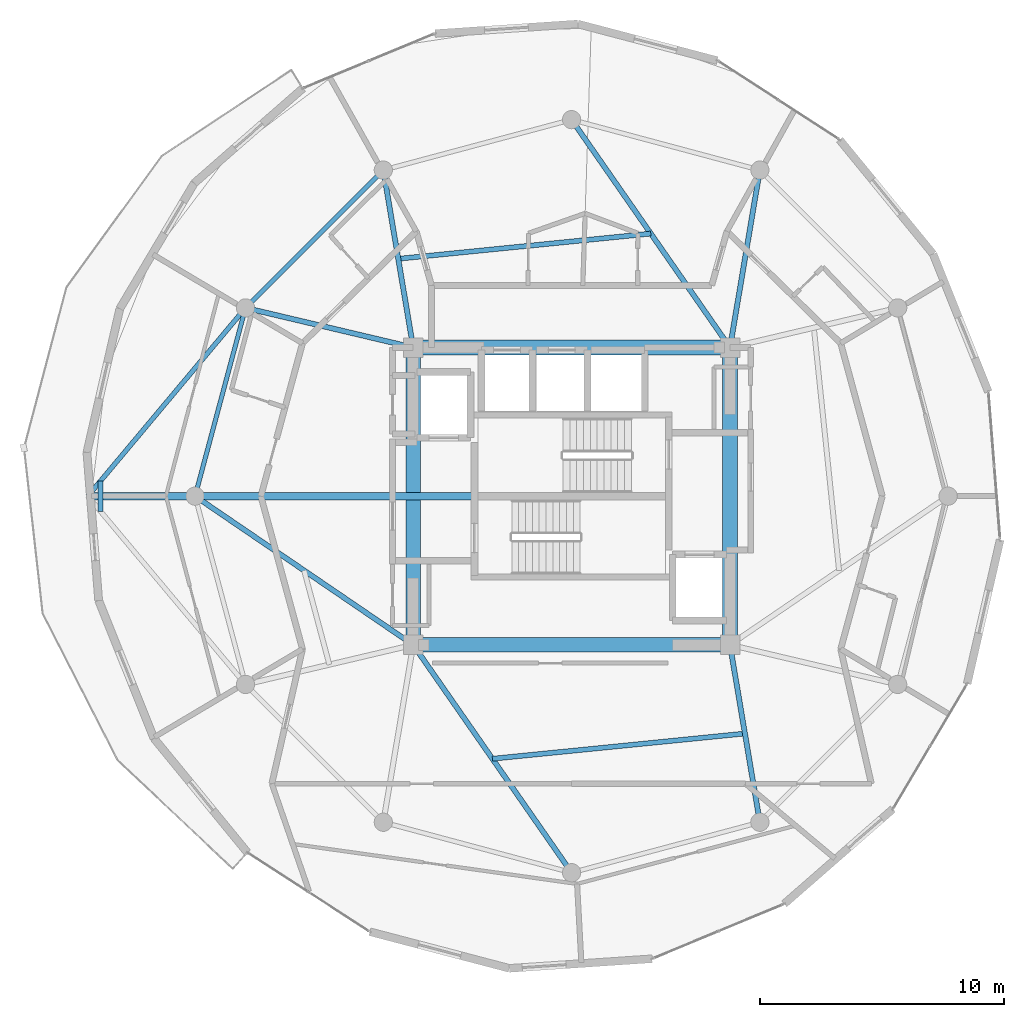
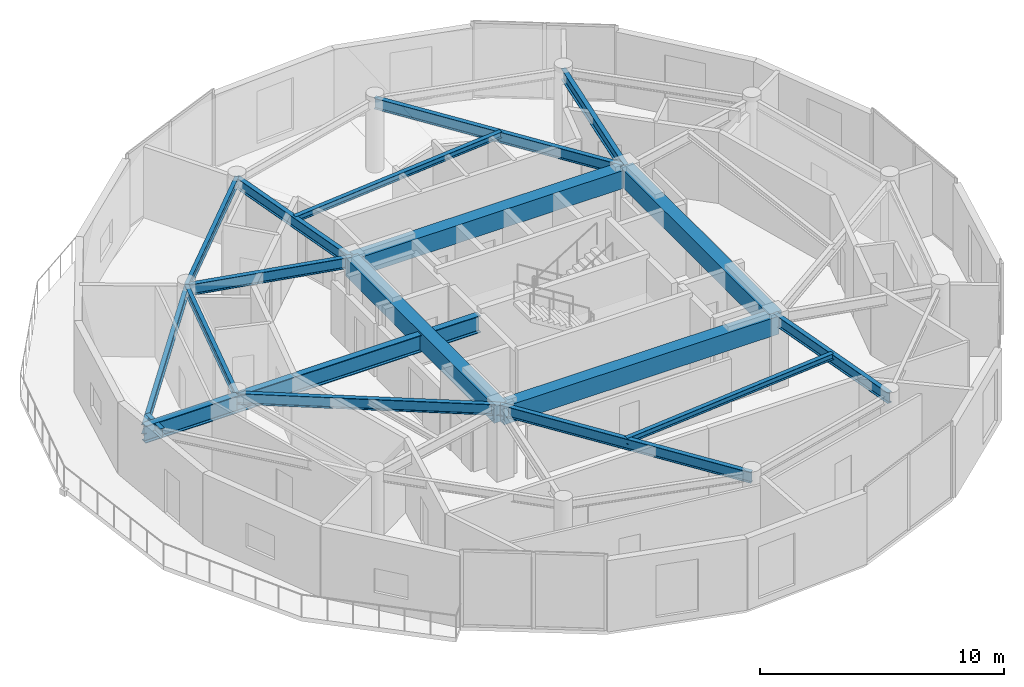
# One storey, part 5 of 17: 19 beams.
"""IFC4 building model written with IfcOpenShell, lengths in metres."""

from ifc_helpers import new_model, si_unit, direction, frame, origin, origin_2d, place, context, subcontext, project, spatial, rectangle, i_section, extrude, material, material_profile, profile_set, type_object, element, save


model = new_model("IFC4")

# Units and contexts
model_context = context("Model", 3, precision=1e-05, world=origin(), true_north=direction((0.0, 1.0)))
body_context = subcontext(model_context, "Body", "Model", "MODEL_VIEW")
ifc_project = project(units=[si_unit("LENGTHUNIT", "METRE"), si_unit("AREAUNIT", "SQUARE_METRE"), si_unit("VOLUMEUNIT", "CUBIC_METRE"), si_unit("PLANEANGLEUNIT", "RADIAN"), si_unit("MASSUNIT", "GRAM", prefix="KILO")], contexts=[model_context])

# Site, building, storey
site_placement = place(None, origin())
site = spatial("IfcSite", under=ifc_project, at=site_placement, CompositionType="ELEMENT")
building_placement = place(site_placement, origin())
building = spatial("IfcBuilding", under=site, at=building_placement, Name="Solvirekh Grand Hotel", CompositionType="ELEMENT")
storey_placement = place(building_placement, frame((0.0, 0.0, 246.800048828125)))
storey = spatial("IfcBuildingStorey", under=building, at=storey_placement, Name="L64", CompositionType="ELEMENT", Elevation=246.800048828125)

# Beams
ifc_material_1 = material(Name="Concrete C50/60", Category="concrete")
ifc_material_profile_1 = material_profile(ifc_material_1, rectangle(XDim=0.60009765625, YDim=0.89990234375, at=origin_2d()), Name="RC BEAM 600X900")
ifc_profile_set_1 = profile_set([ifc_material_profile_1], Name="Concrete C50/60")
beam_type_1 = type_object("IfcBeamType", Name="Beam_Core_RC900", PredefinedType="BEAM", material=ifc_profile_set_1)
beam_1_placement = place(storey_placement, frame((-6.5, -6.10009765625, 3.119873046875), z_axis=(1.0, 0.0, 0.0), x_axis=(0.0, 1.0, 0.0)))
element("IfcBeam", 1, at=beam_1_placement, inside=storey, type_object=beam_type_1, Name="L64 core coupling ring beam 1", PredefinedType="BEAM", context=body_context, shape_type="SweptSolid", body=[
    extrude(rectangle(XDim=0.60009765625, YDim=0.89990234375, at=origin_2d()), origin(), (0.0, 0.0, 1.0), 13.0),
])
beam_2_placement = place(storey_placement, frame((6.5, -6.10009765625, 3.119873046875), z_axis=(0.0, 1.0, 0.0), x_axis=(-1.0, 0.0, 0.0)))
element("IfcBeam", 2, at=beam_2_placement, inside=storey, type_object=beam_type_1, Name="L64 core coupling ring beam 2", PredefinedType="BEAM", context=body_context, shape_type="SweptSolid", body=[
    extrude(rectangle(XDim=0.60009765625, YDim=0.89990234375, at=origin_2d()), origin(), (0.0, 0.0, 1.0), 12.2001953125),
])
beam_3_placement = place(storey_placement, frame((6.5, 6.10009765625, 3.119873046875), z_axis=(-1.0, 0.0, 0.0), x_axis=(0.0, -1.0, 0.0)))
element("IfcBeam", 3, at=beam_3_placement, inside=storey, type_object=beam_type_1, Name="L64 core coupling ring beam 3", PredefinedType="BEAM", context=body_context, shape_type="SweptSolid", body=[
    extrude(rectangle(XDim=0.60009765625, YDim=0.89990234375, at=origin_2d()), origin(), (0.0, 0.0, 1.0), 13.0),
])
beam_4_placement = place(storey_placement, frame((-6.5, 6.10009765625, 3.119873046875), z_axis=(0.0, -1.0, 0.0), x_axis=(1.0, 0.0, 0.0)))
element("IfcBeam", 4, at=beam_4_placement, inside=storey, type_object=beam_type_1, Name="L64 core coupling ring beam 4", PredefinedType="BEAM", context=body_context, shape_type="SweptSolid", body=[
    extrude(rectangle(XDim=0.60009765625, YDim=0.89990234375, at=origin_2d()), origin(), (0.0, 0.0, 1.0), 12.2001953125),
])
ifc_material_2 = material(Name="Steel S460", Category="steel")
ifc_material_profile_2 = material_profile(ifc_material_2, i_section(OverallWidth=0.302001953125, OverallDepth=0.85498046875, WebThickness=0.01904296875, FlangeThickness=0.032958984375, FilletRadius=0.01806640625, at=origin_2d()), Name="W840X299")
ifc_profile_set_2 = profile_set([ifc_material_profile_2], Name="Steel S460")
beam_type_2 = type_object("IfcBeamType", Name="Beam_PoolTie_W840", PredefinedType="BEAM", material=ifc_profile_set_2)
beam_5_placement = place(storey_placement, frame((-3.989990234375, 0.0, 3.06201171875), z_axis=(-1.0, 0.0, 0.0), x_axis=(0.0, -1.0, 0.0)))
element("IfcBeam", 5, at=beam_5_placement, inside=storey, type_object=beam_type_2, Name="L65 sky-garden back-span tie girder", PredefinedType="BEAM", context=body_context, shape_type="SweptSolid", body=[
    extrude(i_section(OverallWidth=0.302001953125, OverallDepth=0.85498046875, WebThickness=0.01904296875, FlangeThickness=0.032958984375, FilletRadius=0.01806640625, at=origin_2d()), origin(), (0.0, 0.0, 1.0), 11.4599609375),
])
beam_6_placement = place(storey_placement, frame((-15.449951171875, 0.0, 3.06201171875), z_axis=(-1.0, 0.0, 0.0), x_axis=(0.0, -1.0, 0.0)))
element("IfcBeam", 6, at=beam_6_placement, inside=storey, type_object=beam_type_2, Name="L65 sky-garden primary cantilever bracket", PredefinedType="BEAM", context=body_context, shape_type="SweptSolid", body=[
    extrude(i_section(OverallWidth=0.302001953125, OverallDepth=0.85498046875, WebThickness=0.01904296875, FlangeThickness=0.032958984375, FilletRadius=0.01806640625, at=origin_2d()), origin(), (0.0, 0.0, 1.0), 4.400146484375),
])
ifc_material_3 = material(Name="Steel S355", Category="steel")
ifc_material_profile_3 = material_profile(ifc_material_3, i_section(OverallWidth=0.194091796875, OverallDepth=0.468994140625, WebThickness=0.010986328125, FlangeThickness=0.01904296875, FilletRadius=0.012939453125, at=origin_2d()), Name="W460X106")
ifc_profile_set_3 = profile_set([ifc_material_profile_3], Name="Steel S355")
beam_type_3 = type_object("IfcBeamType", Name="Beam_Radial_W460H", PredefinedType="BEAM", material=ifc_profile_set_3)
beam_7_placement = place(storey_placement, frame((-13.3798828125, 7.72509765625, 3.2548828125), z_axis=(-0.642093659712, -0.766626201064, 0.0), x_axis=(0.766626201064, -0.642093659712, 0.0)))
element("IfcBeam", 7, at=beam_7_placement, inside=storey, type_object=beam_type_3, Name="L65 sky-garden edge tie beam 1", PredefinedType="BEAM", context=body_context, shape_type="SweptSolid", body=[
    extrude(i_section(OverallWidth=0.194091796875, OverallDepth=0.468994140625, WebThickness=0.010986328125, FlangeThickness=0.01904296875, FilletRadius=0.012939453125, at=origin_2d()), origin(), (0.0, 0.0, 1.0), 10.07666015625),
])
beam_8_placement = place(storey_placement, frame((-19.326904296875, 0.625, 3.2548828125), z_axis=(0.0, -1.0, 0.0), x_axis=(1.0, 0.0, 0.0)))
element("IfcBeam", 8, at=beam_8_placement, inside=storey, type_object=beam_type_3, Name="L65 sky-garden outer cross trimmer", PredefinedType="BEAM", context=body_context, shape_type="SweptSolid", body=[
    extrude(i_section(OverallWidth=0.194091796875, OverallDepth=0.468994140625, WebThickness=0.010986328125, FlangeThickness=0.01904296875, FilletRadius=0.012939453125, at=origin_2d()), origin(), (0.0, 0.0, 1.0), 1.25),
])
ifc_material_profile_4 = material_profile(ifc_material_3, i_section(OverallWidth=0.2119140625, OverallDepth=0.5439453125, WebThickness=0.011962890625, FlangeThickness=0.01904296875, FilletRadius=0.013916015625, at=origin_2d()), Name="W530X123")
ifc_profile_set_4 = profile_set([ifc_material_profile_4], Name="Steel S355")
beam_type_4 = type_object("IfcBeamType", Name="Beam_Radial_W530H", PredefinedType="BEAM", material=ifc_profile_set_4)
beam_9_placement = place(storey_placement, frame((6.5, 6.10009765625, 3.2978515625), z_axis=(0.165954049106, 0.986133486697, 0.0), x_axis=(-0.986133486697, 0.165954049106, 0.0)))
element("IfcBeam", 9, at=beam_9_placement, inside=storey, type_object=beam_type_4, Name="L64 radial floor beam R03", PredefinedType="BEAM", context=body_context, shape_type="SweptSolid", body=[
    extrude(i_section(OverallWidth=0.2119140625, OverallDepth=0.5439453125, WebThickness=0.011962890625, FlangeThickness=0.01904296875, FilletRadius=0.013916015625, at=origin_2d()), origin(), (0.0, 0.0, 1.0), 7.382080078125),
])
beam_10_placement = place(storey_placement, frame((6.5, 6.10009765625, 3.2978515625), z_axis=(-0.570813192472, 0.821079959139, 0.0), x_axis=(-0.821079959139, -0.570813192472, 0.0)))
element("IfcBeam", 10, at=beam_10_placement, inside=storey, type_object=beam_type_4, Name="L64 radial floor beam R04", PredefinedType="BEAM", context=body_context, shape_type="SweptSolid", body=[
    extrude(i_section(OverallWidth=0.2119140625, OverallDepth=0.5439453125, WebThickness=0.011962890625, FlangeThickness=0.01904296875, FilletRadius=0.013916015625, at=origin_2d()), origin(), (0.0, 0.0, 1.0), 11.38720703125),
])
beam_11_placement = place(storey_placement, frame((-6.5, 6.10009765625, 3.2978515625), z_axis=(-0.165954049106, 0.986133486697, 0.0), x_axis=(-0.986133486697, -0.165954049106, 0.0)))
element("IfcBeam", 11, at=beam_11_placement, inside=storey, type_object=beam_type_4, Name="L64 radial floor beam R05", PredefinedType="BEAM", context=body_context, shape_type="SweptSolid", body=[
    extrude(i_section(OverallWidth=0.2119140625, OverallDepth=0.5439453125, WebThickness=0.011962890625, FlangeThickness=0.01904296875, FilletRadius=0.013916015625, at=origin_2d()), origin(), (0.0, 0.0, 1.0), 7.382080078125),
])
beam_12_placement = place(storey_placement, frame((-6.5, 6.10009765625, 3.2978515625), z_axis=(-0.973221147544, 0.229870828888, 0.0), x_axis=(-0.229870828888, -0.973221147544, 0.0)))
element("IfcBeam", 12, at=beam_12_placement, inside=storey, type_object=beam_type_4, Name="L64 radial floor beam R06", PredefinedType="BEAM", context=body_context, shape_type="SweptSolid", body=[
    extrude(i_section(OverallWidth=0.2119140625, OverallDepth=0.5439453125, WebThickness=0.011962890625, FlangeThickness=0.01904296875, FilletRadius=0.013916015625, at=origin_2d()), origin(), (0.0, 0.0, 1.0), 7.069091796875),
])
beam_13_placement = place(storey_placement, frame((-6.5, -6.10009765625, 3.2978515625), z_axis=(-0.826319370306, 0.563201827285, 0.0), x_axis=(-0.563201827285, -0.826319370306, 0.0)))
element("IfcBeam", 13, at=beam_13_placement, inside=storey, type_object=beam_type_4, Name="L64 radial floor beam R07", PredefinedType="BEAM", context=body_context, shape_type="SweptSolid", body=[
    extrude(i_section(OverallWidth=0.2119140625, OverallDepth=0.5439453125, WebThickness=0.011962890625, FlangeThickness=0.01904296875, FilletRadius=0.013916015625, at=origin_2d()), origin(), (0.0, 0.0, 1.0), 10.8310546875),
])
beam_14_placement = place(storey_placement, frame((-6.5, -6.10009765625, 3.2978515625), z_axis=(0.570813192472, -0.821079959139, 0.0), x_axis=(0.821079959139, 0.570813192472, 0.0)))
element("IfcBeam", 14, at=beam_14_placement, inside=storey, type_object=beam_type_4, Name="L64 radial floor beam R10", PredefinedType="BEAM", context=body_context, shape_type="SweptSolid", body=[
    extrude(i_section(OverallWidth=0.2119140625, OverallDepth=0.5439453125, WebThickness=0.011962890625, FlangeThickness=0.01904296875, FilletRadius=0.013916015625, at=origin_2d()), origin(), (0.0, 0.0, 1.0), 11.38720703125),
])
beam_15_placement = place(storey_placement, frame((6.5, -6.10009765625, 3.2978515625), z_axis=(0.165954049106, -0.986133486697, 0.0), x_axis=(0.986133486697, 0.165954049106, 0.0)))
element("IfcBeam", 15, at=beam_15_placement, inside=storey, type_object=beam_type_4, Name="L64 radial floor beam R11", PredefinedType="BEAM", context=body_context, shape_type="SweptSolid", body=[
    extrude(i_section(OverallWidth=0.2119140625, OverallDepth=0.5439453125, WebThickness=0.011962890625, FlangeThickness=0.01904296875, FilletRadius=0.013916015625, at=origin_2d()), origin(), (0.0, 0.0, 1.0), 7.382080078125),
])
ifc_material_profile_5 = material_profile(ifc_material_3, i_section(OverallWidth=0.202880859375, OverallDepth=0.302978515625, WebThickness=0.008056640625, FlangeThickness=0.012939453125, FilletRadius=0.010009765625, at=origin_2d()), Name="W310X60")
ifc_profile_set_5 = profile_set([ifc_material_profile_5], Name="Steel S355")
beam_type_5 = type_object("IfcBeamType", Name="Joist_Floor_W310", PredefinedType="JOIST", material=ifc_profile_set_5)
for number, where, z_axis, x_axis, name in (
    (16, (3.25, 10.77490234375, 3.4189453125), (-0.995049485097, -0.099380693338, 0.0), (0.099380693338, -0.995049485097, 0.0), "L64 secondary composite floor joist 4"),
    (17, (-3.25, -10.77490234375, 3.4189453125), (0.995049485097, 0.099380693338, 0.0), (-0.099380693338, 0.995049485097, 0.0), "L64 secondary composite floor joist 10"),
):
    element("IfcBeam", number, at=place(storey_placement, frame(where, z_axis=z_axis, x_axis=x_axis)), inside=storey, type_object=beam_type_5, Name=name, PredefinedType="JOIST", context=body_context, shape_type="SweptSolid", body=[
        extrude(i_section(OverallWidth=0.202880859375, OverallDepth=0.302978515625, WebThickness=0.008056640625, FlangeThickness=0.012939453125, FilletRadius=0.010009765625, at=origin_2d()), origin(), (0.0, 0.0, 1.0), 10.41357421875),
    ])
ifc_material_profile_6 = material_profile(ifc_material_3, i_section(OverallWidth=0.180908203125, OverallDepth=0.4169921875, WebThickness=0.010009765625, FlangeThickness=0.01611328125, FilletRadius=0.011962890625, at=origin_2d()), Name="W410X85")
ifc_profile_set_6 = profile_set([ifc_material_profile_6], Name="Steel S355")
beam_type_6 = type_object("IfcBeamType", Name="Spandrel_Ring_W410", PredefinedType="SPANDREL", material=ifc_profile_set_6)
beam_16_placement = place(storey_placement, frame((-7.72509765625, 13.3798828125, 3.362060546875), z_axis=(-0.707106781187, -0.707106781187, 0.0), x_axis=(0.707106781187, -0.707106781187, 0.0)))
element("IfcBeam", 18, at=beam_16_placement, inside=storey, type_object=beam_type_6, Name="L64 perimeter spandrel beam 5", PredefinedType="SPANDREL", context=body_context, shape_type="SweptSolid", body=[
    extrude(i_section(OverallWidth=0.180908203125, OverallDepth=0.4169921875, WebThickness=0.010009765625, FlangeThickness=0.01611328125, FilletRadius=0.011962890625, at=origin_2d()), origin(), (0.0, 0.0, 1.0), 7.9970703125),
])
beam_17_placement = place(storey_placement, frame((-13.3798828125, 7.72509765625, 3.362060546875), z_axis=(-0.258834757072, -0.965921616143, 0.0), x_axis=(0.965921616143, -0.258834757072, 0.0)))
element("IfcBeam", 19, at=beam_17_placement, inside=storey, type_object=beam_type_6, Name="L64 perimeter spandrel beam 6", PredefinedType="SPANDREL", context=body_context, shape_type="SweptSolid", body=[
    extrude(i_section(OverallWidth=0.180908203125, OverallDepth=0.4169921875, WebThickness=0.010009765625, FlangeThickness=0.01611328125, FilletRadius=0.011962890625, at=origin_2d()), origin(), (0.0, 0.0, 1.0), 7.99755859375),
])

save(model, "model.ifc")
